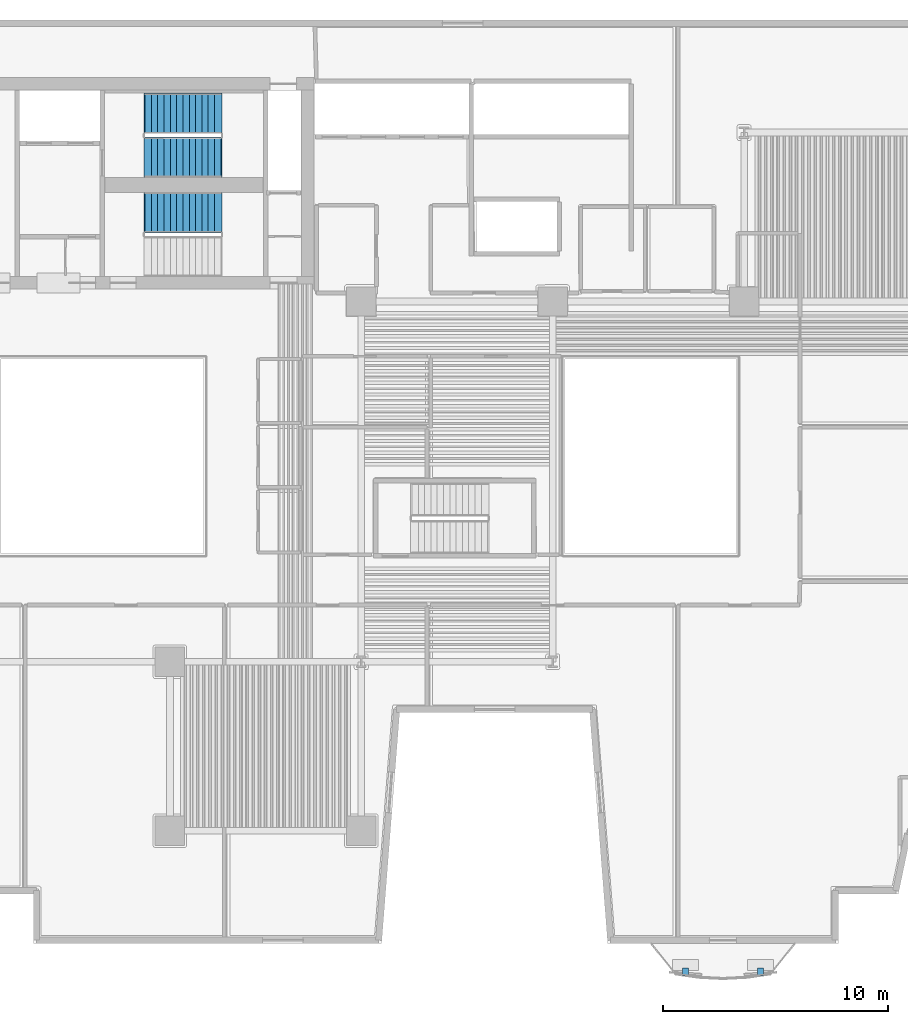
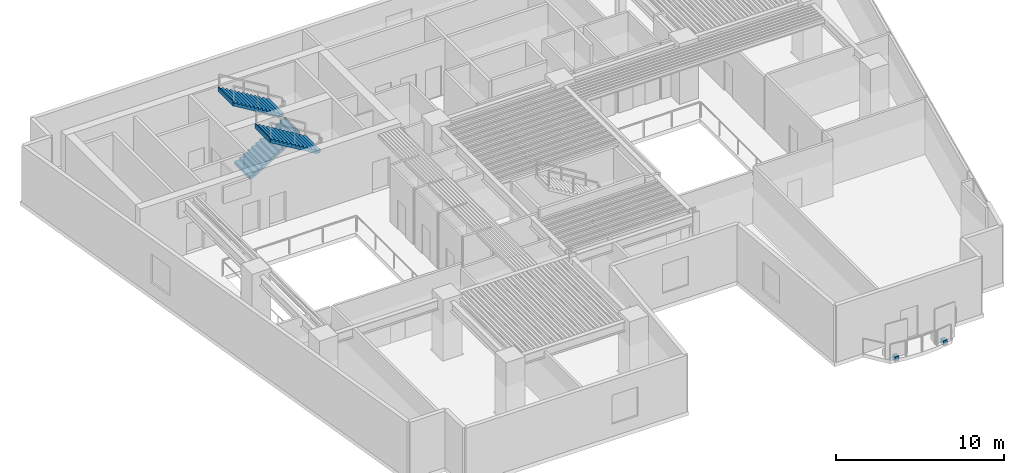
# One storey, part 7 of 12: 3 stair flights, 2 discrete accessories, 2 elements without a shape of their own.
"""IFC4 building model written with IfcOpenShell, lengths in metres."""

from ifc_helpers import new_model, si_unit, direction, frame, origin, origin_2d, place, context, subcontext, project, spatial, polyline, rectangle, outline, extrude, material, type_object, element, aggregate, save


model = new_model("IFC4")

# Units and contexts
model_context = context("Model", 3, precision=1e-05, world=origin(), true_north=direction((0.0, 1.0)))
body_context = subcontext(model_context, "Body", "Model", "MODEL_VIEW")
ifc_project = project(units=[si_unit("LENGTHUNIT", "METRE"), si_unit("AREAUNIT", "SQUARE_METRE"), si_unit("VOLUMEUNIT", "CUBIC_METRE"), si_unit("PLANEANGLEUNIT", "RADIAN"), si_unit("MASSUNIT", "GRAM", prefix="KILO")], contexts=[model_context])

# Site, building, storey
site_placement = place(None, origin())
site = spatial("IfcSite", under=ifc_project, at=site_placement, CompositionType="ELEMENT")
building_placement = place(site_placement, origin())
building = spatial("IfcBuilding", under=site, at=building_placement, Name="Caeloran Harvest Quay", CompositionType="ELEMENT")
storey_placement = place(building_placement, frame((0.0, 0.0, 84.199951171875)))
storey = spatial("IfcBuildingStorey", under=building, at=storey_placement, Name="L19", CompositionType="ELEMENT", Elevation=84.199951171875)

# Stair, stair flights
ifc_material_1 = material(Name="Concrete C50/60", Category="concrete")
stair_type = type_object("IfcStairType", Name="STAIR-STC-180", PredefinedType="HALF_TURN_STAIR", material=ifc_material_1)
stair_1_placement = place(storey_placement, origin())
stair_1 = element("IfcStair", 1, at=stair_1_placement, inside=storey, type_object=stair_type, Name="L19 Core Pressurized Exit Stair ST-C1", PredefinedType="HALF_TURN_STAIR")
stair_flight_type = type_object("IfcStairFlightType", Name="FLIGHT-STC-180", PredefinedType="STRAIGHT", material=ifc_material_1)
stair_flight_1_placement = place(storey_placement, frame((15.89990234375, 37.39990234375, 0.0), z_axis=(0.0, 0.0, 1.0), x_axis=(1.0, 0.0, 0.0)))
stair_flight_1 = element("IfcStairFlight", 2, at=stair_flight_1_placement, type_object=stair_flight_type, Name="ST-C1 flight 1", NumberOfRisers=13, NumberOfTreads=12, PredefinedType="STRAIGHT", RiserHeight=0.169230769, TreadLength=0.28, context=body_context, shape_type="SweptSolid", body=[
    extrude(outline(polyline([(-0.054931640625, -0.044921875), (-0.054931640625, -0.031494140625), (-0.054931640625, -0.018310546875), (-0.054931640625, -0.0048828125), (-0.054931640625, 0.008544921875), (-0.054931640625, 0.02197265625), (-0.054931640625, 0.035400390625), (-0.054931640625, 0.048828125), (-0.054931640625, 0.06201171875), (-0.054931640625, 0.075439453125), (-0.054931640625, 0.0888671875), (-0.054931640625, 0.102294921875), (-0.054931640625, 0.11572265625), (-0.054931640625, 0.129150390625), (-0.054931640625, 0.142333984375), (-0.054931640625, 0.15576171875), (-0.054931640625, 0.169189453125), (0.280029296875, 0.169189453125), (0.280029296875, 0.33837890625), (0.56005859375, 0.33837890625), (0.56005859375, 0.5078125), (0.840087890625, 0.5078125), (0.840087890625, 0.677001953125), (1.1201171875, 0.677001953125), (1.1201171875, 0.84619140625), (1.39990234375, 0.84619140625), (1.39990234375, 1.015380859375), (1.679931640625, 1.015380859375), (1.679931640625, 1.1845703125), (1.9599609375, 1.1845703125), (1.9599609375, 1.353759765625), (2.239990234375, 1.353759765625), (2.239990234375, 1.523193359375), (2.52001953125, 1.523193359375), (2.52001953125, 1.6923828125), (2.800048828125, 1.6923828125), (2.800048828125, 1.861572265625), (3.080078125, 1.861572265625), (3.080078125, 2.03076171875), (3.360107421875, 2.03076171875), (3.360107421875, 2.199951171875), (3.4150390625, 2.199951171875), (3.4150390625, 2.178466796875), (3.4150390625, 2.156982421875), (3.4150390625, 2.135498046875), (3.4150390625, 2.114013671875), (3.4150390625, 2.09228515625), (3.4150390625, 2.07080078125), (3.4150390625, 2.04931640625), (3.4150390625, 2.02783203125), (3.4150390625, 2.00634765625), (3.4150390625, 1.98486328125), (3.4150390625, 1.963134765625), (3.4150390625, 1.941650390625), (3.4150390625, 1.920166015625), (3.4150390625, 1.898681640625), (3.4150390625, 1.877197265625), (3.4150390625, 1.855712890625), (3.360107421875, 1.855712890625), (0.21533203125, -0.044921875), (-0.054931640625, -0.044921875)])), frame((0.0, 0.89990234375, 0.0), z_axis=(0.0, -1.0, 0.0), x_axis=(1.0, 0.0, 0.0)), (0.0, 0.0, 1.0), 1.800048828125),
])
stair_flight_2_placement = place(storey_placement, frame((19.260009765625, 39.35009765625, 2.199951171875), z_axis=(0.0, 0.0, 1.0), x_axis=(-1.0, 0.0, 0.0)))
stair_flight_2 = element("IfcStairFlight", 3, at=stair_flight_2_placement, type_object=stair_flight_type, Name="ST-C1 flight 2", NumberOfRisers=13, NumberOfTreads=12, PredefinedType="STRAIGHT", RiserHeight=0.169230769, TreadLength=0.28, context=body_context, shape_type="SweptSolid", body=[
    extrude(outline(polyline([(-0.054931640625, -0.044921875), (-0.054931640625, -0.031494140625), (-0.054931640625, -0.018310546875), (-0.054931640625, -0.0048828125), (-0.054931640625, 0.008544921875), (-0.054931640625, 0.02197265625), (-0.054931640625, 0.035400390625), (-0.054931640625, 0.048828125), (-0.054931640625, 0.06201171875), (-0.054931640625, 0.075439453125), (-0.054931640625, 0.0888671875), (-0.054931640625, 0.102294921875), (-0.054931640625, 0.11572265625), (-0.054931640625, 0.129150390625), (-0.054931640625, 0.142333984375), (-0.054931640625, 0.15576171875), (-0.054931640625, 0.169189453125), (0.280029296875, 0.169189453125), (0.280029296875, 0.33837890625), (0.56005859375, 0.33837890625), (0.56005859375, 0.5078125), (0.840087890625, 0.5078125), (0.840087890625, 0.677001953125), (1.1201171875, 0.677001953125), (1.1201171875, 0.84619140625), (1.39990234375, 0.84619140625), (1.39990234375, 1.015380859375), (1.679931640625, 1.015380859375), (1.679931640625, 1.1845703125), (1.9599609375, 1.1845703125), (1.9599609375, 1.353759765625), (2.239990234375, 1.353759765625), (2.239990234375, 1.523193359375), (2.52001953125, 1.523193359375), (2.52001953125, 1.6923828125), (2.800048828125, 1.6923828125), (2.800048828125, 1.861572265625), (3.080078125, 1.861572265625), (3.080078125, 2.03076171875), (3.360107421875, 2.03076171875), (3.360107421875, 2.199951171875), (3.4150390625, 2.199951171875), (3.4150390625, 2.178466796875), (3.4150390625, 2.156982421875), (3.4150390625, 2.135498046875), (3.4150390625, 2.114013671875), (3.4150390625, 2.09228515625), (3.4150390625, 2.07080078125), (3.4150390625, 2.04931640625), (3.4150390625, 2.02783203125), (3.4150390625, 2.00634765625), (3.4150390625, 1.98486328125), (3.4150390625, 1.963134765625), (3.4150390625, 1.941650390625), (3.4150390625, 1.920166015625), (3.4150390625, 1.898681640625), (3.4150390625, 1.877197265625), (3.4150390625, 1.855712890625), (3.360107421875, 1.855712890625), (0.21533203125, -0.044921875), (-0.054931640625, -0.044921875)])), frame((0.0, 0.89990234375, 0.0), z_axis=(0.0, -1.0, 0.0), x_axis=(1.0, 0.0, 0.0)), (0.0, 0.0, 1.0), 1.800048828125),
])
aggregate(stair_1, [stair_flight_1, stair_flight_2])

# Stair, stair flight
stair_2_placement = place(storey_placement, origin())
stair_2 = element("IfcStair", 4, at=stair_2_placement, inside=storey, type_object=stair_type, Name="L19 Core Pressurized Exit Stair ST-C2", PredefinedType="HALF_TURN_STAIR")
stair_flight_3_placement = place(storey_placement, frame((19.260009765625, 34.949951171875, 2.199951171875), z_axis=(0.0, 0.0, 1.0), x_axis=(-1.0, 0.0, 0.0)))
stair_flight_3 = element("IfcStairFlight", 5, at=stair_flight_3_placement, type_object=stair_flight_type, Name="ST-C2 flight 2", NumberOfRisers=13, NumberOfTreads=12, PredefinedType="STRAIGHT", RiserHeight=0.169230769, TreadLength=0.28, context=body_context, shape_type="SweptSolid", body=[
    extrude(outline(polyline([(-0.054931640625, -0.044921875), (-0.054931640625, -0.031494140625), (-0.054931640625, -0.018310546875), (-0.054931640625, -0.0048828125), (-0.054931640625, 0.008544921875), (-0.054931640625, 0.02197265625), (-0.054931640625, 0.035400390625), (-0.054931640625, 0.048828125), (-0.054931640625, 0.06201171875), (-0.054931640625, 0.075439453125), (-0.054931640625, 0.0888671875), (-0.054931640625, 0.102294921875), (-0.054931640625, 0.11572265625), (-0.054931640625, 0.129150390625), (-0.054931640625, 0.142333984375), (-0.054931640625, 0.15576171875), (-0.054931640625, 0.169189453125), (0.280029296875, 0.169189453125), (0.280029296875, 0.33837890625), (0.56005859375, 0.33837890625), (0.56005859375, 0.5078125), (0.840087890625, 0.5078125), (0.840087890625, 0.677001953125), (1.1201171875, 0.677001953125), (1.1201171875, 0.84619140625), (1.39990234375, 0.84619140625), (1.39990234375, 1.015380859375), (1.679931640625, 1.015380859375), (1.679931640625, 1.1845703125), (1.9599609375, 1.1845703125), (1.9599609375, 1.353759765625), (2.239990234375, 1.353759765625), (2.239990234375, 1.523193359375), (2.52001953125, 1.523193359375), (2.52001953125, 1.6923828125), (2.800048828125, 1.6923828125), (2.800048828125, 1.861572265625), (3.080078125, 1.861572265625), (3.080078125, 2.03076171875), (3.360107421875, 2.03076171875), (3.360107421875, 2.199951171875), (3.4150390625, 2.199951171875), (3.4150390625, 2.178466796875), (3.4150390625, 2.156982421875), (3.4150390625, 2.135498046875), (3.4150390625, 2.114013671875), (3.4150390625, 2.09228515625), (3.4150390625, 2.07080078125), (3.4150390625, 2.04931640625), (3.4150390625, 2.02783203125), (3.4150390625, 2.00634765625), (3.4150390625, 1.98486328125), (3.4150390625, 1.963134765625), (3.4150390625, 1.941650390625), (3.4150390625, 1.920166015625), (3.4150390625, 1.898681640625), (3.4150390625, 1.877197265625), (3.4150390625, 1.855712890625), (3.360107421875, 1.855712890625), (0.21533203125, -0.044921875), (-0.054931640625, -0.044921875)])), frame((0.0, 0.89990234375, 0.0), z_axis=(0.0, -1.0, 0.0), x_axis=(1.0, 0.0, 0.0)), (0.0, 0.0, 1.0), 1.800048828125),
])
aggregate(stair_2, [stair_flight_3])

# Discrete accessories
ifc_material_2 = material(Name="Stainless Steel Grade 316L", Category="steel")
discrete_accessory_type = type_object("IfcDiscreteAccessoryType", Name="BRACKET-SCREEN-SS", PredefinedType="BRACKET", material=ifc_material_2)
for number, where, z_axis, x_axis, name in (
    (6, (43.218505859375, 1.224853515625, -0.22021484375), (0.0, 0.0, 1.0), (1.0, 0.0, 0.0), "L19 Balcony Screen Support Bracket 1"),
    (7, (39.8984375, 1.224853515625, -0.22021484375), (0.0, 0.0, 1.0), (1.0, 0.0, 0.0), "L19 Balcony Screen Support Bracket 2"),
):
    element("IfcDiscreteAccessory", number, at=place(storey_placement, frame(where, z_axis=z_axis, x_axis=x_axis)), inside=storey, type_object=discrete_accessory_type, Name=name, PredefinedType="BRACKET", context=body_context, shape_type="SweptSolid", body=[
        extrude(rectangle(XDim=0.260009765625, YDim=0.340087890625, at=origin_2d()), origin(), (0.0, 0.0, 1.0), 0.360107421875),
    ])

save(model, "model.ifc")
